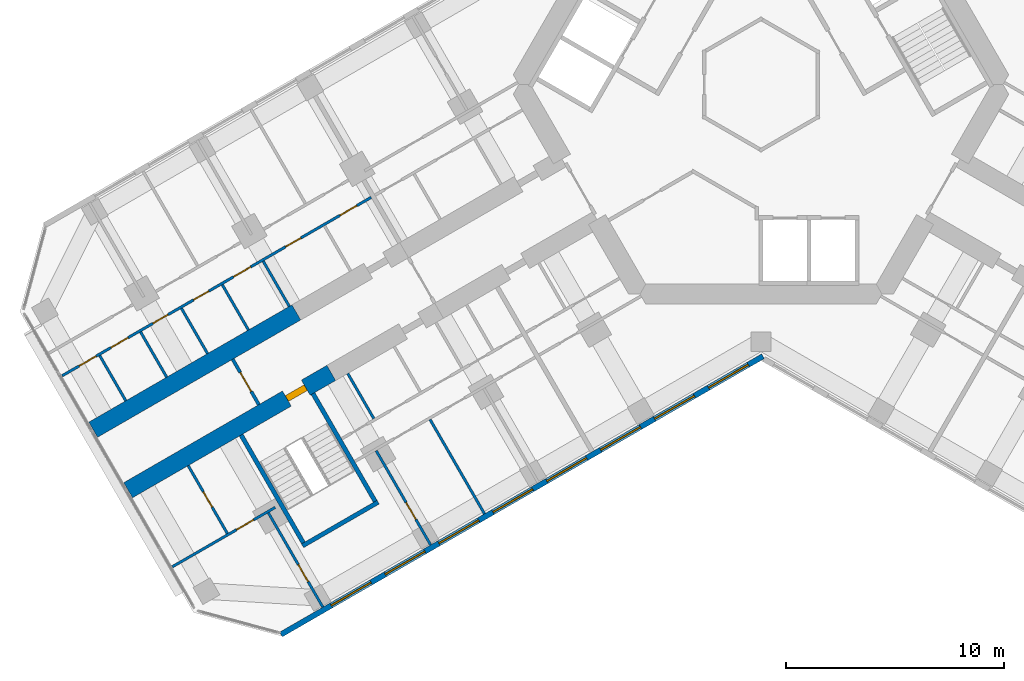
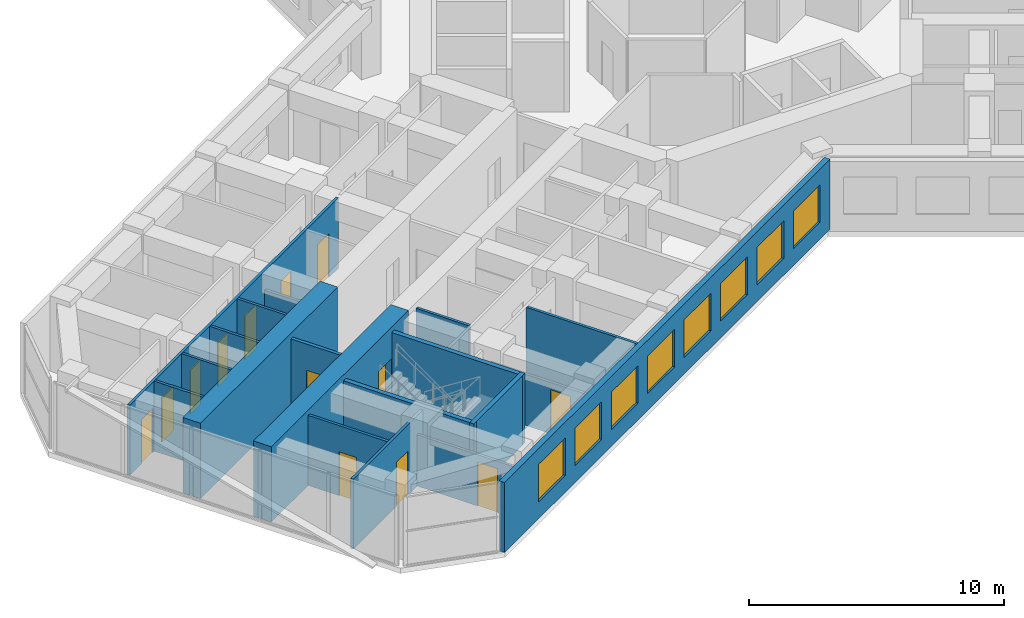
# One storey, part 10 of 19: 19 walls, 13 doors, 8 windows, 21 openings.
"""IFC4 building model written with IfcOpenShell, lengths in metres."""

import ifcopenshell
import ifcopenshell.guid

model = None  # the IFC model being written
_history = None  # IfcOwnerHistory: only IFC2X3 demands one
_inside = {}  # id of a spatial element -> (the spatial element, [elements in it])
_under = {}  # id of a project, library or spatial element -> (it, [spatial elements below it])
_declared = {}  # id of a project -> (the project, [libraries it declares])
_typed = {}  # id of a type object -> (the type object, [elements of that type])
_made_of = {}  # id of a material, layer set ... -> (it, [elements and type objects made of it])


def new_model(schema):
    """Start an empty IFC model of exactly this schema.

    Asked for "IFC4X3", IfcOpenShell would pick the latest addendum, in which some entities
    have other attributes; the version numbers below select the first issue.
    IFC2X3 requires an IfcOwnerHistory on every rooted entity: one is made here for all.
    """
    global model, _history
    if schema == "IFC4X3":
        model = ifcopenshell.file(schema_version=(4, 3, 0, 0))
    else:
        model = ifcopenshell.file(schema=schema)
    _inside.clear()
    _under.clear()
    _declared.clear()
    _typed.clear()
    _made_of.clear()
    _history = None
    if model.schema == "IFC2X3":
        org = make("IfcOrganization", Name="unknown")
        user = make(
            "IfcPersonAndOrganization",
            ThePerson=make("IfcPerson", FamilyName="unknown"),
            TheOrganization=org,
        )
        app = make(
            "IfcApplication",
            ApplicationDeveloper=org,
            Version="unknown",
            ApplicationFullName="unknown",
            ApplicationIdentifier="unknown",
        )
        _history = make(
            "IfcOwnerHistory",
            OwningUser=user,
            OwningApplication=app,
            ChangeAction="ADDED",
            CreationDate=0,
        )
    return model


def make(cls, **values):
    """One entity of the class cls with the attributes given. An attribute that is None is left unset."""
    return model.create_entity(
        cls, **{name: value for name, value in values.items() if value is not None}
    )


def rooted(cls, **values):
    """An entity with a GlobalId (a new one), such as an element, a storey or a relation."""
    return make(cls, GlobalId=ifcopenshell.guid.new(), OwnerHistory=_history, **values)


def si_unit(unit_type, name, prefix=None):
    """IfcSIUnit, for example si_unit("LENGTHUNIT", "METRE", prefix="MILLI")."""
    return make("IfcSIUnit", UnitType=unit_type, Prefix=prefix, Name=name)


def assignment(units):
    """IfcUnitAssignment: the units of a project."""
    return None if units is None else make("IfcUnitAssignment", Units=units)


def point(xyz):
    """IfcCartesianPoint."""
    return None if xyz is None else make("IfcCartesianPoint", Coordinates=xyz)


def direction(xyz):
    """IfcDirection."""
    return None if xyz is None else make("IfcDirection", DirectionRatios=xyz)


def frame(location, z_axis=None, x_axis=None):
    """IfcAxis2Placement3D, a coordinate frame: its origin and axes. An axis left out is left unset."""
    return make(
        "IfcAxis2Placement3D",
        Location=point(location),
        Axis=direction(z_axis),
        RefDirection=direction(x_axis),
    )


def frame_2d(location, x_axis=None):
    """IfcAxis2Placement2D, a coordinate frame in the plane: its origin and x axis."""
    return make(
        "IfcAxis2Placement2D", Location=point(location), RefDirection=direction(x_axis)
    )


def origin():
    """The frame at (0, 0, 0) with its axes left unset."""
    return frame((0.0, 0.0, 0.0))


def place(relative_to, where):
    """IfcLocalPlacement: puts the frame where relative to a parent placement (None: the world)."""
    return make(
        "IfcLocalPlacement", PlacementRelTo=relative_to, RelativePlacement=where
    )


def context(
    kind, dimensions, precision=None, world=None, true_north=None, identifier=None
):
    """IfcGeometricRepresentationContext, for example the 3D "Model" context."""
    return make(
        "IfcGeometricRepresentationContext",
        ContextIdentifier=identifier,
        ContextType=kind,
        CoordinateSpaceDimension=dimensions,
        Precision=precision,
        WorldCoordinateSystem=world,
        TrueNorth=true_north,
    )


def subcontext(parent, identifier, kind, view, scale=None):
    """IfcGeometricRepresentationSubContext, for example "Body" below "Model"."""
    return make(
        "IfcGeometricRepresentationSubContext",
        ContextIdentifier=identifier,
        ContextType=kind,
        ParentContext=parent,
        TargetScale=scale,
        TargetView=view,
    )


def project(units=None, contexts=None):
    """IfcProject with its units and contexts."""
    return rooted(
        "IfcProject",
        Name="project",
        RepresentationContexts=contexts,
        UnitsInContext=assignment(units),
    )


def spatial(cls, under=None, at=None, **own):
    """A site, building, storey or space (cls), placed at a placement, below another one or the project."""
    s = rooted(cls, ObjectPlacement=at, **own)
    if under is not None:
        _under.setdefault(under.id(), (under, []))[1].append(s)
    return s


def profile(cls, at=None, kind="AREA", **sizes):
    """A parametric profile (cls). Its sizes go by their IFC names, for example OverallWidth=200.0."""
    return make(cls, ProfileType=kind, Position=at, **sizes)


def rectangle(**sizes):
    """IfcRectangleProfileDef."""
    return profile("IfcRectangleProfileDef", **sizes)


def extrude(swept, where, along, depth):
    """IfcExtrudedAreaSolid: the profile swept, set in the frame where, extruded along a direction by depth."""
    return make(
        "IfcExtrudedAreaSolid",
        SweptArea=swept,
        Position=where,
        ExtrudedDirection=direction(along),
        Depth=depth,
    )


def shape(context_of_items, identifier, shape_type, items):
    """IfcShapeRepresentation: the items that make up one representation, for example the "Body"."""
    return make(
        "IfcShapeRepresentation",
        ContextOfItems=context_of_items,
        RepresentationIdentifier=identifier,
        RepresentationType=shape_type,
        Items=items,
    )


def material(Name=None, Category=None):
    """IfcMaterial."""
    return make("IfcMaterial", Name=Name, Category=Category)


def layer(
    of_material, thickness, ventilated=None, Name=None, Category=None, Priority=None
):
    """IfcMaterialLayer: one layer of a wall or slab, of a material (None: an air gap)."""
    return make(
        "IfcMaterialLayer",
        Material=of_material,
        LayerThickness=thickness,
        IsVentilated=ventilated,
        Name=Name,
        Category=Category,
        Priority=Priority,
    )


def layer_set(layers, Name=None):
    """IfcMaterialLayerSet."""
    return make("IfcMaterialLayerSet", MaterialLayers=layers, LayerSetName=Name)


def made_of(thing, what):
    """Note that an element or type object is made of a material, layer set ...; save() writes the relation."""
    if what is not None:
        _made_of.setdefault(what.id(), (what, []))[1].append(thing)
    return thing


def type_object(cls, material=None, **own):
    """A type object (cls), such as IfcWallType, which elements share."""
    return made_of(rooted(cls, **own), material)


def element(
    cls,
    number,
    at=None,
    inside=None,
    cuts=None,
    type_object=None,
    material=None,
    context=None,
    identifier="Body",
    shape_type=None,
    held_by="IfcProductDefinitionShape",
    body=None,
    shapes=None,
    **own,
):
    """One element of the class cls, such as IfcWall. Its Tag is "e" and its number.

    at: its placement. inside: the storey or other place that contains it. cuts: it is an
    opening in that element (IfcRelVoidsElement). A single representation is given by context,
    identifier, shape_type and body (its items); several are given by shapes. held_by: the class
    of the entity that holds the representations. save() writes the other relations.
    """
    e = rooted(cls, Tag="e%d" % number, ObjectPlacement=at, **own)
    if body is not None:
        shapes = [shape(context, identifier, shape_type, body)]
    if shapes is not None:
        e.Representation = make(held_by, Representations=shapes)
    if inside is not None:
        _inside.setdefault(inside.id(), (inside, []))[1].append(e)
    if cuts is not None:
        rooted(
            "IfcRelVoidsElement", RelatingBuildingElement=cuts, RelatedOpeningElement=e
        )
    if type_object is not None:
        _typed.setdefault(type_object.id(), (type_object, []))[1].append(e)
    return made_of(e, material)


def fill(opening, filler):
    """IfcRelFillsElement: the door or window that sits in an opening."""
    return rooted(
        "IfcRelFillsElement",
        RelatingOpeningElement=opening,
        RelatedBuildingElement=filler,
    )


def aggregate(whole, parts):
    """IfcRelAggregates: a whole, such as a stair, and the parts it consists of."""
    return rooted("IfcRelAggregates", RelatingObject=whole, RelatedObjects=parts)


def save(model, path):
    """Write the relations noted so far, then the file.

    IfcRelAggregates (storeys below a building ...), IfcRelContainedInSpatialStructure (elements
    in a storey), IfcRelDefinesByType, IfcRelAssociatesMaterial and IfcRelDeclares: one each for
    every whole, place, type object, material and project.
    """
    for whole, parts in _under.values():
        aggregate(whole, parts)
    for where, things in _inside.values():
        rooted(
            "IfcRelContainedInSpatialStructure",
            RelatedElements=things,
            RelatingStructure=where,
        )
    for kind, things in _typed.values():
        rooted("IfcRelDefinesByType", RelatedObjects=things, RelatingType=kind)
    for what, things in _made_of.values():
        rooted("IfcRelAssociatesMaterial", RelatedObjects=things, RelatingMaterial=what)
    for by, libraries in _declared.values():
        rooted("IfcRelDeclares", RelatingContext=by, RelatedDefinitions=libraries)
    model.write(path)


model = new_model("IFC4")

# Units and contexts
model_context = context("Model", 3, precision=1e-05, world=origin(), true_north=direction((0.0, 1.0)))
body_context = subcontext(model_context, "Body", "Model", "MODEL_VIEW")
ifc_project = project(units=[si_unit("LENGTHUNIT", "METRE"), si_unit("AREAUNIT", "SQUARE_METRE"), si_unit("VOLUMEUNIT", "CUBIC_METRE"), si_unit("PLANEANGLEUNIT", "RADIAN"), si_unit("MASSUNIT", "GRAM", prefix="KILO")], contexts=[model_context])

# Site, building, storey
site_placement = place(None, origin())
site = spatial("IfcSite", under=ifc_project, at=site_placement, CompositionType="ELEMENT")
building_placement = place(site_placement, origin())
building = spatial("IfcBuilding", under=site, at=building_placement, Name="Kosmar Iwan School Tower", CompositionType="ELEMENT")
storey_placement = place(building_placement, frame((0.0, 0.0, 149.0)))
storey = spatial("IfcBuildingStorey", under=building, at=storey_placement, Name="L37", CompositionType="ELEMENT", Elevation=149.0)

# Wall, opening, door
ifc_material_1 = material(Name="Concrete C50/60", Category="concrete")
ifc_layer_1 = layer(ifc_material_1, 0.800048828125)
ifc_layer_set_1 = layer_set([ifc_layer_1], Name="Corridor buttress wall 800")
wall_type_1 = type_object("IfcWallType", Name="Corridor buttress wall 800", PredefinedType="SHEAR", material=ifc_layer_set_1)
wall_1_placement = place(storey_placement, frame((-19.681396484375, -13.210693359375, 0.0), z_axis=(0.0, 0.0, 1.0), x_axis=(-0.866028186671, -0.499995179869, 0.0)))
wall_1 = element("IfcWall", 1, at=wall_1_placement, inside=storey, type_object=wall_type_1, Name="Corridor wall BL bay 3", PredefinedType="SHEAR", context=body_context, shape_type="SweptSolid", body=[
    extrude(rectangle(XDim=10.7451171875, YDim=0.800048828125, at=frame_2d((5.37255859375, 0.0))), origin(), (0.0, 0.0, 1.0), 3.60009765625),
])
opening_1_placement = place(wall_1_placement, frame((1.35009765625, 0.0, 0.0)))
opening_1 = element("IfcOpeningElement", 2, at=opening_1_placement, cuts=wall_1, Name="Opening D6", PredefinedType="OPENING", context=body_context, shape_type="SweptSolid", body=[
    extrude(rectangle(XDim=1.0, YDim=2.10009765625, at=frame_2d((0.5, 1.050048828125))), frame((0.0, 0.412109375, 0.0), z_axis=(0.0, -1.0, 0.0), x_axis=(1.0, 0.0, 0.0)), (0.0, 0.0, 1.0), 0.823974609375),
])
ifc_material_2 = material(Name="Steel fire door", Category="steel")
door_type_1 = type_object("IfcDoorType", Name="Stair door 1000x2100", OperationType="SINGLE_SWING_LEFT", PredefinedType="DOOR", material=ifc_material_2)
door_1_placement = place(opening_1_placement, origin())
door_1 = element("IfcDoor", 3, at=door_1_placement, inside=storey, type_object=door_type_1, Name="Stair WS2 door L37", OperationType="SINGLE_SWING_LEFT", OverallHeight=2.10009765625, OverallWidth=1.0, PredefinedType="DOOR", context=body_context, shape_type="SweptSolid", body=[
    extrude(rectangle(XDim=1.0, YDim=2.10009765625, at=frame_2d((0.5, 1.050048828125))), frame((0.0, 0.14990234375, 0.0), z_axis=(0.0, -1.0, 0.0), x_axis=(1.0, 0.0, 0.0)), (0.0, 0.0, 1.0), 0.300048828125),
])
fill(opening_1, door_1)

# Wall
wall_2_placement = place(storey_placement, frame((-21.281494140625, -10.439453125, 0.0), z_axis=(0.0, 0.0, 1.0), x_axis=(-0.866032345022, -0.499987977232, 0.0)))
element("IfcWall", 4, at=wall_2_placement, inside=storey, type_object=wall_type_1, Name="Corridor wall BR bay 3", PredefinedType="SHEAR", context=body_context, shape_type="SweptSolid", body=[
    extrude(rectangle(XDim=10.744873046875, YDim=0.800048828125, at=frame_2d((5.37255859375, 0.0))), origin(), (0.0, 0.0, 1.0), 3.60009765625),
])

# Wall, opening, door
ifc_material_3 = material(Name="Gypsum board on steel studs, fire-rated", Category="steel")
ifc_layer_2 = layer(ifc_material_3, 0.14990234375)
ifc_layer_set_2 = layer_set([ifc_layer_2], Name="Corridor end wall 150")
wall_type_2 = type_object("IfcWallType", Name="Corridor end wall 150", PredefinedType="PARTITIONING", material=ifc_layer_set_2)
wall_3_placement = place(storey_placement, frame((-24.19921875, -12.585693359375, 0.0), z_axis=(0.0, 0.0, 1.0), x_axis=(0.499957262057, -0.866050077142, 0.0)))
wall_3 = element("IfcWall", 5, at=wall_3_placement, inside=storey, type_object=wall_type_2, Name="Partition L37-B-CE", PredefinedType="PARTITIONING", context=body_context, shape_type="SweptSolid", body=[
    extrude(rectangle(XDim=2.400146484375, YDim=0.14990234375, at=frame_2d((1.2001953125, 0.0))), origin(), (0.0, 0.0, 1.0), 3.35009765625),
])
opening_2_placement = place(wall_3_placement, frame((0.699951171875, 0.0, 0.0)))
opening_2 = element("IfcOpeningElement", 6, at=opening_2_placement, cuts=wall_3, Name="Opening D13", PredefinedType="OPENING", context=body_context, shape_type="SweptSolid", body=[
    extrude(rectangle(XDim=1.0, YDim=2.10009765625, at=frame_2d((0.5, 1.050048828125))), frame((0.0, 0.0869140625, 0.0), z_axis=(0.0, -1.0, 0.0), x_axis=(1.0, 0.0, 0.0)), (0.0, 0.0, 1.0), 0.173828125),
])
ifc_material_4 = material(Name="Timber fire door with vision panel", Category="wood")
door_type_2 = type_object("IfcDoorType", Name="Corridor end door 1000x2100", OperationType="SINGLE_SWING_LEFT", PredefinedType="DOOR", material=ifc_material_4)
door_2_placement = place(opening_2_placement, origin())
door_2 = element("IfcDoor", 7, at=door_2_placement, inside=storey, type_object=door_type_2, Name="Laundry and drying room door L37-B", OperationType="SINGLE_SWING_RIGHT", OverallHeight=2.10009765625, OverallWidth=1.0, PredefinedType="DOOR", context=body_context, shape_type="SweptSolid", body=[
    extrude(rectangle(XDim=1.0, YDim=2.10009765625, at=frame_2d((0.5, 1.050048828125))), frame((0.0, 0.02490234375, 0.0), z_axis=(0.0, -1.0, 0.0), x_axis=(1.0, 0.0, 0.0)), (0.0, 0.0, 1.0), 0.050048828125),
])
fill(opening_2, door_2)

# Walls
ifc_material_5 = material(Name="Gypsum board on steel studs", Category="steel")
ifc_layer_3 = layer(ifc_material_5, 0.1201171875)
ifc_layer_set_3 = layer_set([ifc_layer_3], Name="Dwelling partition 120")
wall_type_3 = type_object("IfcWallType", Name="Dwelling partition 120", PredefinedType="PARTITIONING", material=ifc_layer_set_3)
wall_4_placement = place(storey_placement, frame((-15.158447265625, -15.344970703125, 0.0), z_axis=(0.0, 0.0, 1.0), x_axis=(0.500011847778, -0.866018563358, 0.0)))
element("IfcWall", 8, at=wall_4_placement, inside=storey, type_object=wall_type_3, Name="Partition L37-BL2-X2", PredefinedType="PARTITIONING", context=body_context, shape_type="SweptSolid", body=[
    extrude(rectangle(XDim=4.990234375, YDim=0.1201171875, at=frame_2d((2.4951171875, 0.0))), origin(), (0.0, 0.0, 1.0), 3.35009765625),
])
wall_5_placement = place(storey_placement, frame((-18.92724609375, -13.237060546875, 0.0), z_axis=(0.0, 0.0, 1.0), x_axis=(0.500017192868, -0.86601547725, 0.0)))
element("IfcWall", 9, at=wall_5_placement, inside=storey, type_object=wall_type_3, Name="Partition L37-BL2-Y4", PredefinedType="PARTITIONING", context=body_context, shape_type="SweptSolid", body=[
    extrude(rectangle(XDim=2.39013671875, YDim=0.1201171875, at=frame_2d((1.195068359375, 0.0))), origin(), (0.0, 0.0, 1.0), 3.35009765625),
])

# Wall, opening, door
wall_6_placement = place(storey_placement, frame((-17.62646484375, -16.77001953125, 0.0), z_axis=(0.0, 0.0, 1.0), x_axis=(0.499975153383, -0.86603974851, 0.0)))
wall_6 = element("IfcWall", 10, at=wall_6_placement, inside=storey, type_object=wall_type_3, Name="Partition L37-BL2-TB", PredefinedType="PARTITIONING", context=body_context, shape_type="SweptSolid", body=[
    extrude(rectangle(XDim=4.989990234375, YDim=0.1201171875, at=frame_2d((2.4951171875, 0.0))), origin(), (0.0, 0.0, 1.0), 2.449951171875),
])
opening_3_placement = place(wall_6_placement, frame((2.739990234375, 0.0, 0.0)))
opening_3 = element("IfcOpeningElement", 11, at=opening_3_placement, cuts=wall_6, Name="Opening D2", PredefinedType="OPENING", context=body_context, shape_type="SweptSolid", body=[
    extrude(rectangle(XDim=0.89990234375, YDim=2.10009765625, at=frame_2d((0.449951171875, 1.050048828125))), frame((0.0, 0.072021484375, 0.0), z_axis=(0.0, -1.0, 0.0), x_axis=(1.0, 0.0, 0.0)), (0.0, 0.0, 1.0), 0.14404296875),
])
ifc_material_6 = material(Name="Timber door in timber frame", Category="wood")
door_type_3 = type_object("IfcDoorType", Name="Internal door 900x2100", OperationType="SINGLE_SWING_LEFT", PredefinedType="DOOR", material=ifc_material_6)
door_3_placement = place(opening_3_placement, origin())
door_3 = element("IfcDoor", 12, at=door_3_placement, inside=storey, type_object=door_type_3, Name="Study door L37-BL2-F3", OperationType="SINGLE_SWING_RIGHT", OverallHeight=2.10009765625, OverallWidth=0.89990234375, PredefinedType="DOOR", context=body_context, shape_type="SweptSolid", body=[
    extrude(rectangle(XDim=0.89990234375, YDim=2.10009765625, at=frame_2d((0.449951171875, 1.050048828125))), frame((0.0, 0.02490234375, 0.0), z_axis=(0.0, -1.0, 0.0), x_axis=(1.0, 0.0, 0.0)), (0.0, 0.0, 1.0), 0.050048828125),
])
fill(opening_3, door_3)

wall_7_placement = place(storey_placement, frame((-22.562744140625, -19.6201171875, 0.0), z_axis=(0.0, 0.0, 1.0), x_axis=(0.499996339024, -0.86602751744, 0.0)))
wall_7 = element("IfcWall", 13, at=wall_7_placement, inside=storey, type_object=wall_type_3, Name="Partition L37-BL2-TX", PredefinedType="PARTITIONING", context=body_context, shape_type="SweptSolid", body=[
    extrude(rectangle(XDim=4.98974609375, YDim=0.1201171875, at=frame_2d((2.494873046875, 0.0))), origin(), (0.0, 0.0, 1.0), 2.449951171875),
])
opening_4_placement = place(wall_7_placement, frame((2.739990234375, 0.0, 0.0)))
opening_4 = element("IfcOpeningElement", 14, at=opening_4_placement, cuts=wall_7, Name="Opening D2", PredefinedType="OPENING", context=body_context, shape_type="SweptSolid", body=[
    extrude(rectangle(XDim=0.89990234375, YDim=2.10009765625, at=frame_2d((0.449951171875, 1.050048828125))), frame((0.0, 0.072021484375, 0.0), z_axis=(0.0, -1.0, 0.0), x_axis=(1.0, 0.0, 0.0)), (0.0, 0.0, 1.0), 0.14404296875),
])
door_4_placement = place(opening_4_placement, origin())
door_4 = element("IfcDoor", 15, at=door_4_placement, inside=storey, type_object=door_type_3, Name="Study door L37-BL2-T1", OperationType="SINGLE_SWING_RIGHT", OverallHeight=2.10009765625, OverallWidth=0.89990234375, PredefinedType="DOOR", context=body_context, shape_type="SweptSolid", body=[
    extrude(rectangle(XDim=0.89990234375, YDim=2.10009765625, at=frame_2d((0.449951171875, 1.050048828125))), frame((0.0, 0.02490234375, 0.0), z_axis=(0.0, -1.0, 0.0), x_axis=(1.0, 0.0, 0.0)), (0.0, 0.0, 1.0), 0.050048828125),
])
fill(opening_4, door_4)

wall_8_placement = place(storey_placement, frame((-22.246337890625, -19.3681640625, 0.0), z_axis=(0.0, 0.0, 1.0), x_axis=(-0.866035508231, -0.499982498177, 0.0)))
wall_8 = element("IfcWall", 16, at=wall_8_placement, inside=storey, type_object=wall_type_3, Name="Partition L37-BL2-TW", PredefinedType="PARTITIONING", context=body_context, shape_type="SweptSolid", body=[
    extrude(rectangle(XDim=5.445068359375, YDim=0.1201171875, at=frame_2d((2.72265625, 0.0))), origin(), (0.0, 0.0, 1.0), 3.35009765625),
])
opening_5_placement = place(wall_8_placement, frame((1.14990234375, 0.0, 0.0)))
opening_5 = element("IfcOpeningElement", 17, at=opening_5_placement, cuts=wall_8, Name="Opening D2", PredefinedType="OPENING", context=body_context, shape_type="SweptSolid", body=[
    extrude(rectangle(XDim=0.89990234375, YDim=2.10009765625, at=frame_2d((0.449951171875, 1.050048828125))), frame((0.0, 0.072021484375, 0.0), z_axis=(0.0, -1.0, 0.0), x_axis=(1.0, 0.0, 0.0)), (0.0, 0.0, 1.0), 0.14404296875),
])
door_5_placement = place(opening_5_placement, origin())
door_5 = element("IfcDoor", 18, at=door_5_placement, inside=storey, type_object=door_type_3, Name="Dressing room door L37-BL2-T3", OperationType="SINGLE_SWING_LEFT", OverallHeight=2.10009765625, OverallWidth=0.89990234375, PredefinedType="DOOR", context=body_context, shape_type="SweptSolid", body=[
    extrude(rectangle(XDim=0.89990234375, YDim=2.10009765625, at=frame_2d((0.449951171875, 1.050048828125))), frame((0.0, 0.02490234375, 0.0), z_axis=(0.0, -1.0, 0.0), x_axis=(1.0, 0.0, 0.0)), (0.0, 0.0, 1.0), 0.050048828125),
])
fill(opening_5, door_5)

wall_9_placement = place(storey_placement, frame((-26.236572265625, -17.45703125, 0.0), z_axis=(0.0, 0.0, 1.0), x_axis=(0.50002266109, -0.866012320003, 0.0)))
wall_9 = element("IfcWall", 19, at=wall_9_placement, inside=storey, type_object=wall_type_3, Name="Partition L37-BL2-TY", PredefinedType="PARTITIONING", context=body_context, shape_type="SweptSolid", body=[
    extrude(rectangle(XDim=3.590087890625, YDim=0.1201171875, at=frame_2d((1.794921875, 0.0))), origin(), (0.0, 0.0, 1.0), 3.35009765625),
])
opening_6_placement = place(wall_9_placement, frame((1.39501953125, 0.0, 0.0)))
opening_6 = element("IfcOpeningElement", 20, at=opening_6_placement, cuts=wall_9, Name="Opening D3", PredefinedType="OPENING", context=body_context, shape_type="SweptSolid", body=[
    extrude(rectangle(XDim=0.800048828125, YDim=2.10009765625, at=frame_2d((0.39990234375, 1.050048828125))), frame((0.0, 0.072021484375, 0.0), z_axis=(0.0, -1.0, 0.0), x_axis=(1.0, 0.0, 0.0)), (0.0, 0.0, 1.0), 0.14404296875),
])
ifc_material_7 = material(Name="Timber door in timber frame", Category="wood")
door_type_4 = type_object("IfcDoorType", Name="Sanitary room door 800x2100", OperationType="SINGLE_SWING_LEFT", PredefinedType="DOOR", material=ifc_material_7)
door_6_placement = place(opening_6_placement, origin())
door_6 = element("IfcDoor", 21, at=door_6_placement, inside=storey, type_object=door_type_4, Name="Shower room door L37-BL2-T4", OperationType="SINGLE_SWING_LEFT", OverallHeight=2.10009765625, OverallWidth=0.800048828125, PredefinedType="DOOR", context=body_context, shape_type="SweptSolid", body=[
    extrude(rectangle(XDim=0.800048828125, YDim=2.10009765625, at=frame_2d((0.39990234375, 1.050048828125))), frame((0.0, 0.02490234375, 0.0), z_axis=(0.0, -1.0, 0.0), x_axis=(1.0, 0.0, 0.0)), (0.0, 0.0, 1.0), 0.050048828125),
])
fill(opening_6, door_6)

# Wall, openings, doors
wall_10_placement = place(storey_placement, frame((-17.856689453125, -5.171142578125, 0.0), z_axis=(0.0, 0.0, 1.0), x_axis=(-0.866023907196, -0.500002592159, 0.0)))
wall_10 = element("IfcWall", 22, at=wall_10_placement, inside=storey, type_object=wall_type_3, Name="Partition L37-BR2-W1", PredefinedType="PARTITIONING", context=body_context, shape_type="SweptSolid", body=[
    extrude(rectangle(XDim=16.34521484375, YDim=0.1201171875, at=frame_2d((8.172607421875, 0.0))), origin(), (0.0, 0.0, 1.0), 3.35009765625),
])
opening_7_placement = place(wall_10_placement, frame((0.75, 0.0, 0.0)))
opening_7 = element("IfcOpeningElement", 23, at=opening_7_placement, cuts=wall_10, Name="Opening D2", PredefinedType="OPENING", context=body_context, shape_type="SweptSolid", body=[
    extrude(rectangle(XDim=0.89990234375, YDim=2.10009765625, at=frame_2d((0.449951171875, 1.050048828125))), frame((0.0, 0.072021484375, 0.0), z_axis=(0.0, -1.0, 0.0), x_axis=(1.0, 0.0, 0.0)), (0.0, 0.0, 1.0), 0.14404296875),
])
opening_8_placement = place(wall_10_placement, frame((3.72119140625, 0.0, 0.0)))
opening_8 = element("IfcOpeningElement", 24, at=opening_8_placement, cuts=wall_10, Name="Opening D3", PredefinedType="OPENING", context=body_context, shape_type="SweptSolid", body=[
    extrude(rectangle(XDim=0.800048828125, YDim=2.10009765625, at=frame_2d((0.39990234375, 1.050048828125))), frame((0.0, 0.072021484375, 0.0), z_axis=(0.0, -1.0, 0.0), x_axis=(1.0, 0.0, 0.0)), (0.0, 0.0, 1.0), 0.14404296875),
])
opening_9_placement = place(wall_10_placement, frame((6.373046875, 0.0, 0.0)))
opening_9 = element("IfcOpeningElement", 25, at=opening_9_placement, cuts=wall_10, Name="Opening D2", PredefinedType="OPENING", context=body_context, shape_type="SweptSolid", body=[
    extrude(rectangle(XDim=0.89990234375, YDim=2.10009765625, at=frame_2d((0.449951171875, 1.050048828125))), frame((0.0, 0.072021484375, 0.0), z_axis=(0.0, -1.0, 0.0), x_axis=(1.0, 0.0, 0.0)), (0.0, 0.0, 1.0), 0.14404296875),
])
opening_10_placement = place(wall_10_placement, frame((8.584716796875, 0.0, 0.0)))
opening_10 = element("IfcOpeningElement", 26, at=opening_10_placement, cuts=wall_10, Name="Opening D3", PredefinedType="OPENING", context=body_context, shape_type="SweptSolid", body=[
    extrude(rectangle(XDim=0.800048828125, YDim=2.10009765625, at=frame_2d((0.39990234375, 1.050048828125))), frame((0.0, 0.072021484375, 0.0), z_axis=(0.0, -1.0, 0.0), x_axis=(1.0, 0.0, 0.0)), (0.0, 0.0, 1.0), 0.14404296875),
])
opening_11_placement = place(wall_10_placement, frame((10.74609375, 0.0, 0.0)))
opening_11 = element("IfcOpeningElement", 27, at=opening_11_placement, cuts=wall_10, Name="Opening D3", PredefinedType="OPENING", context=body_context, shape_type="SweptSolid", body=[
    extrude(rectangle(XDim=0.800048828125, YDim=2.10009765625, at=frame_2d((0.39990234375, 1.050048828125))), frame((0.0, 0.072021484375, 0.0), z_axis=(0.0, -1.0, 0.0), x_axis=(1.0, 0.0, 0.0)), (0.0, 0.0, 1.0), 0.14404296875),
])
opening_12_placement = place(wall_10_placement, frame((12.857666015625, 0.0, 0.0)))
opening_12 = element("IfcOpeningElement", 28, at=opening_12_placement, cuts=wall_10, Name="Opening D2", PredefinedType="OPENING", context=body_context, shape_type="SweptSolid", body=[
    extrude(rectangle(XDim=0.89990234375, YDim=2.10009765625, at=frame_2d((0.449951171875, 1.050048828125))), frame((0.0, 0.072021484375, 0.0), z_axis=(0.0, -1.0, 0.0), x_axis=(1.0, 0.0, 0.0)), (0.0, 0.0, 1.0), 0.14404296875),
])
opening_13_placement = place(wall_10_placement, frame((14.548583984375, 0.0, 0.0)))
opening_13 = element("IfcOpeningElement", 29, at=opening_13_placement, cuts=wall_10, Name="Opening D2", PredefinedType="OPENING", context=body_context, shape_type="SweptSolid", body=[
    extrude(rectangle(XDim=0.89990234375, YDim=2.10009765625, at=frame_2d((0.449951171875, 1.050048828125))), frame((0.0, 0.072021484375, 0.0), z_axis=(0.0, -1.0, 0.0), x_axis=(1.0, 0.0, 0.0)), (0.0, 0.0, 1.0), 0.14404296875),
])
door_7_placement = place(opening_7_placement, origin())
door_7 = element("IfcDoor", 30, at=door_7_placement, inside=storey, type_object=door_type_3, Name="Entrance hall door L37-BR2-S1", OperationType="SINGLE_SWING_RIGHT", OverallHeight=2.10009765625, OverallWidth=0.89990234375, PredefinedType="DOOR", context=body_context, shape_type="SweptSolid", body=[
    extrude(rectangle(XDim=0.89990234375, YDim=2.10009765625, at=frame_2d((0.449951171875, 1.050048828125))), frame((0.0, 0.02490234375, 0.0), z_axis=(0.0, -1.0, 0.0), x_axis=(1.0, 0.0, 0.0)), (0.0, 0.0, 1.0), 0.050048828125),
])
fill(opening_7, door_7)
door_8_placement = place(opening_9_placement, origin())
door_8 = element("IfcDoor", 31, at=door_8_placement, inside=storey, type_object=door_type_3, Name="Pantry door L37-BR2-S3", OperationType="SINGLE_SWING_RIGHT", OverallHeight=2.10009765625, OverallWidth=0.89990234375, PredefinedType="DOOR", context=body_context, shape_type="SweptSolid", body=[
    extrude(rectangle(XDim=0.89990234375, YDim=2.10009765625, at=frame_2d((0.449951171875, 1.050048828125))), frame((0.0, 0.02490234375, 0.0), z_axis=(0.0, -1.0, 0.0), x_axis=(1.0, 0.0, 0.0)), (0.0, 0.0, 1.0), 0.050048828125),
])
fill(opening_9, door_8)
door_9_placement = place(opening_12_placement, origin())
door_9 = element("IfcDoor", 32, at=door_9_placement, inside=storey, type_object=door_type_3, Name="Utility room door L37-BR2-S6", OperationType="SINGLE_SWING_LEFT", OverallHeight=2.10009765625, OverallWidth=0.89990234375, PredefinedType="DOOR", context=body_context, shape_type="SweptSolid", body=[
    extrude(rectangle(XDim=0.89990234375, YDim=2.10009765625, at=frame_2d((0.449951171875, 1.050048828125))), frame((0.0, 0.02490234375, 0.0), z_axis=(0.0, -1.0, 0.0), x_axis=(1.0, 0.0, 0.0)), (0.0, 0.0, 1.0), 0.050048828125),
])
fill(opening_12, door_9)
door_10_placement = place(opening_13_placement, origin())
door_10 = element("IfcDoor", 33, at=door_10_placement, inside=storey, type_object=door_type_3, Name="Dressing room door L37-BR2-S7", OperationType="SINGLE_SWING_LEFT", OverallHeight=2.10009765625, OverallWidth=0.89990234375, PredefinedType="DOOR", context=body_context, shape_type="SweptSolid", body=[
    extrude(rectangle(XDim=0.89990234375, YDim=2.10009765625, at=frame_2d((0.449951171875, 1.050048828125))), frame((0.0, 0.02490234375, 0.0), z_axis=(0.0, -1.0, 0.0), x_axis=(1.0, 0.0, 0.0)), (0.0, 0.0, 1.0), 0.050048828125),
])
fill(opening_13, door_10)
door_11_placement = place(opening_8_placement, origin())
door_11 = element("IfcDoor", 34, at=door_11_placement, inside=storey, type_object=door_type_4, Name="Bathroom door L37-BR2-S2", OperationType="SINGLE_SWING_LEFT", OverallHeight=2.10009765625, OverallWidth=0.800048828125, PredefinedType="DOOR", context=body_context, shape_type="SweptSolid", body=[
    extrude(rectangle(XDim=0.800048828125, YDim=2.10009765625, at=frame_2d((0.39990234375, 1.050048828125))), frame((0.0, 0.02490234375, 0.0), z_axis=(0.0, -1.0, 0.0), x_axis=(1.0, 0.0, 0.0)), (0.0, 0.0, 1.0), 0.050048828125),
])
fill(opening_8, door_11)
door_12_placement = place(opening_10_placement, origin())
door_12 = element("IfcDoor", 35, at=door_12_placement, inside=storey, type_object=door_type_4, Name="WC door L37-BR2-S4", OperationType="SINGLE_SWING_LEFT", OverallHeight=2.10009765625, OverallWidth=0.800048828125, PredefinedType="DOOR", context=body_context, shape_type="SweptSolid", body=[
    extrude(rectangle(XDim=0.800048828125, YDim=2.10009765625, at=frame_2d((0.39990234375, 1.050048828125))), frame((0.0, 0.02490234375, 0.0), z_axis=(0.0, -1.0, 0.0), x_axis=(1.0, 0.0, 0.0)), (0.0, 0.0, 1.0), 0.050048828125),
])
fill(opening_10, door_12)
door_13_placement = place(opening_11_placement, origin())
door_13 = element("IfcDoor", 36, at=door_13_placement, inside=storey, type_object=door_type_4, Name="Store door L37-BR2-S5", OperationType="SINGLE_SWING_RIGHT", OverallHeight=2.10009765625, OverallWidth=0.800048828125, PredefinedType="DOOR", context=body_context, shape_type="SweptSolid", body=[
    extrude(rectangle(XDim=0.800048828125, YDim=2.10009765625, at=frame_2d((0.39990234375, 1.050048828125))), frame((0.0, 0.02490234375, 0.0), z_axis=(0.0, -1.0, 0.0), x_axis=(1.0, 0.0, 0.0)), (0.0, 0.0, 1.0), 0.050048828125),
])
fill(opening_11, door_13)

# Walls
wall_11_placement = place(storey_placement, frame((-21.604736328125, -10.1640625, 0.0), z_axis=(0.0, 0.0, 1.0), x_axis=(-0.500017192868, 0.86601547725, 0.0)))
element("IfcWall", 37, at=wall_11_placement, inside=storey, type_object=wall_type_3, Name="Partition L37-BR2-Y2", PredefinedType="PARTITIONING", context=body_context, shape_type="SweptSolid", body=[
    extrude(rectangle(XDim=2.39013671875, YDim=0.1201171875, at=frame_2d((1.195068359375, 0.0))), origin(), (0.0, 0.0, 1.0), 2.449951171875),
])
wall_12_placement = place(storey_placement, frame((-23.476806640625, -11.244873046875, 0.0), z_axis=(0.0, 0.0, 1.0), x_axis=(-0.499940577336, 0.866059708757, 0.0)))
element("IfcWall", 38, at=wall_12_placement, inside=storey, type_object=wall_type_3, Name="Partition L37-BR2-Y3", PredefinedType="PARTITIONING", context=body_context, shape_type="SweptSolid", body=[
    extrude(rectangle(XDim=2.389892578125, YDim=0.1201171875, at=frame_2d((1.19482421875, 0.0))), origin(), (0.0, 0.0, 1.0), 3.35009765625),
])
for number, where, z_axis, x_axis, name in (
    (39, (-25.3486328125, -12.32568359375, 0.0), (0.0, 0.0, 1.0), (-0.500017192868, 0.86601547725, 0.0), "Partition L37-BR2-Y4"),
    (40, (-27.220458984375, -13.406494140625, 0.0), (0.0, 0.0, 1.0), (-0.500017192868, 0.86601547725, 0.0), "Partition L37-BR2-Y5"),
    (41, (-29.092529296875, -14.4873046875, 0.0), (0.0, 0.0, 1.0), (-0.500017192868, 0.86601547725, 0.0), "Partition L37-BR2-Y6"),
):
    element("IfcWall", number, at=place(storey_placement, frame(where, z_axis=z_axis, x_axis=x_axis)), inside=storey, type_object=wall_type_3, Name=name, PredefinedType="PARTITIONING", context=body_context, shape_type="SweptSolid", body=[
        extrude(rectangle(XDim=2.39013671875, YDim=0.1201171875, at=frame_2d((1.195068359375, 0.0))), origin(), (0.0, 0.0, 1.0), 3.35009765625),
    ])
ifc_material_8 = material(Name="Concrete C35/45", Category="concrete")
ifc_layer_4 = layer(ifc_material_8, 0.199951171875)
ifc_layer_set_4 = layer_set([ifc_layer_4], Name="Escape stair wall 200")
wall_type_4 = type_object("IfcWallType", Name="Escape stair wall 200", PredefinedType="SHEAR", material=ifc_layer_set_4)
wall_13_placement = place(storey_placement, frame((-20.520751953125, -14.156982421875, 0.0), z_axis=(0.0, 0.0, 1.0), x_axis=(0.499988710057, -0.866031921938, 0.0)))
element("IfcWall", 42, at=wall_13_placement, inside=storey, type_object=wall_type_4, Name="Stair WS2 wall", PredefinedType="SHEAR", context=body_context, shape_type="SweptSolid", body=[
    extrude(rectangle(XDim=5.900146484375, YDim=0.199951171875, at=frame_2d((2.9501953125, 0.0))), origin(), (0.0, 0.0, 1.0), 3.330078125),
])
wall_14_placement = place(storey_placement, frame((-23.8115234375, -16.05712890625, 0.0), z_axis=(0.0, 0.0, 1.0), x_axis=(0.500006628179, -0.86602157697, 0.0)))
element("IfcWall", 43, at=wall_14_placement, inside=storey, type_object=wall_type_4, Name="Stair WS2 wall", PredefinedType="SHEAR", context=body_context, shape_type="SweptSolid", body=[
    extrude(rectangle(XDim=5.89990234375, YDim=0.199951171875, at=frame_2d((2.949951171875, 0.0))), origin(), (0.0, 0.0, 1.0), 3.330078125),
])
wall_15_placement = place(storey_placement, frame((-17.5341796875, -19.1298828125, 0.0), z_axis=(0.0, 0.0, 1.0), x_axis=(-0.866026010844, -0.49999894854, 0.0)))
element("IfcWall", 44, at=wall_15_placement, inside=storey, type_object=wall_type_4, Name="Stair WS2 wall", PredefinedType="SHEAR", context=body_context, shape_type="SweptSolid", body=[
    extrude(rectangle(XDim=4.0, YDim=0.199951171875, at=frame_2d((2.0, 0.0))), origin(), (0.0, 0.0, 1.0), 3.330078125),
])

# Wall, openings, windows
ifc_material_9 = material(Name="Black aluminium rainscreen on insulated framing", Category="aluminium")
ifc_layer_5 = layer(ifc_material_9, 0.25)
ifc_layer_set_5 = layer_set([ifc_layer_5], Name="External wall rainscreen 250")
wall_type_5 = type_object("IfcWallType", Name="External wall rainscreen 250", PredefinedType="SOLIDWALL", material=ifc_layer_set_5)
wall_16_placement = place(storey_placement, frame((0.088134765625, -12.44873046875, 0.0), z_axis=(0.0, 0.0, 1.0), x_axis=(-0.866026390279, -0.499998291337, 0.0)))
wall_16 = element("IfcWall", 45, at=wall_16_placement, inside=storey, type_object=wall_type_5, Name="External wall BL L37", PredefinedType="SOLIDWALL", context=body_context, shape_type="SweptSolid", body=[
    extrude(rectangle(XDim=25.4873046875, YDim=0.25, at=frame_2d((12.74365234375, 0.0))), origin(), (0.0, 0.0, 1.0), 3.35009765625),
])
opening_14_placement = place(wall_16_placement, frame((0.777099609375, 0.0, 0.800048828125)))
opening_14 = element("IfcOpeningElement", 46, at=opening_14_placement, cuts=wall_16, Name="Opening W4", PredefinedType="OPENING", context=body_context, shape_type="SweptSolid", body=[
    extrude(rectangle(XDim=2.10009765625, YDim=1.800048828125, at=frame_2d((1.050048828125, 0.89990234375))), frame((0.0, 0.136962890625, 0.0), z_axis=(0.0, -1.0, 0.0), x_axis=(1.0, 0.0, 0.0)), (0.0, 0.0, 1.0), 0.27392578125),
])
opening_15_placement = place(wall_16_placement, frame((3.626953125, 0.0, 0.800048828125)))
opening_15 = element("IfcOpeningElement", 47, at=opening_15_placement, cuts=wall_16, Name="Opening W4", PredefinedType="OPENING", context=body_context, shape_type="SweptSolid", body=[
    extrude(rectangle(XDim=2.10009765625, YDim=1.800048828125, at=frame_2d((1.050048828125, 0.89990234375))), frame((0.0, 0.136962890625, 0.0), z_axis=(0.0, -1.0, 0.0), x_axis=(1.0, 0.0, 0.0)), (0.0, 0.0, 1.0), 0.27392578125),
])
opening_16_placement = place(wall_16_placement, frame((6.47705078125, 0.0, 0.800048828125)))
opening_16 = element("IfcOpeningElement", 48, at=opening_16_placement, cuts=wall_16, Name="Opening W4", PredefinedType="OPENING", context=body_context, shape_type="SweptSolid", body=[
    extrude(rectangle(XDim=2.10009765625, YDim=1.800048828125, at=frame_2d((1.050048828125, 0.89990234375))), frame((0.0, 0.136962890625, 0.0), z_axis=(0.0, -1.0, 0.0), x_axis=(1.0, 0.0, 0.0)), (0.0, 0.0, 1.0), 0.27392578125),
])
opening_17_placement = place(wall_16_placement, frame((9.326904296875, 0.0, 0.800048828125)))
opening_17 = element("IfcOpeningElement", 49, at=opening_17_placement, cuts=wall_16, Name="Opening W4", PredefinedType="OPENING", context=body_context, shape_type="SweptSolid", body=[
    extrude(rectangle(XDim=2.10009765625, YDim=1.800048828125, at=frame_2d((1.050048828125, 0.89990234375))), frame((0.0, 0.136962890625, 0.0), z_axis=(0.0, -1.0, 0.0), x_axis=(1.0, 0.0, 0.0)), (0.0, 0.0, 1.0), 0.27392578125),
])
opening_18_placement = place(wall_16_placement, frame((12.177001953125, 0.0, 0.800048828125)))
opening_18 = element("IfcOpeningElement", 50, at=opening_18_placement, cuts=wall_16, Name="Opening W4", PredefinedType="OPENING", context=body_context, shape_type="SweptSolid", body=[
    extrude(rectangle(XDim=2.10009765625, YDim=1.800048828125, at=frame_2d((1.050048828125, 0.89990234375))), frame((0.0, 0.136962890625, 0.0), z_axis=(0.0, -1.0, 0.0), x_axis=(1.0, 0.0, 0.0)), (0.0, 0.0, 1.0), 0.27392578125),
])
opening_19_placement = place(wall_16_placement, frame((15.027099609375, 0.0, 0.800048828125)))
opening_19 = element("IfcOpeningElement", 51, at=opening_19_placement, cuts=wall_16, Name="Opening W4", PredefinedType="OPENING", context=body_context, shape_type="SweptSolid", body=[
    extrude(rectangle(XDim=2.10009765625, YDim=1.800048828125, at=frame_2d((1.050048828125, 0.89990234375))), frame((0.0, 0.136962890625, 0.0), z_axis=(0.0, -1.0, 0.0), x_axis=(1.0, 0.0, 0.0)), (0.0, 0.0, 1.0), 0.27392578125),
])
opening_20_placement = place(wall_16_placement, frame((17.876953125, 0.0, 0.800048828125)))
opening_20 = element("IfcOpeningElement", 52, at=opening_20_placement, cuts=wall_16, Name="Opening W4", PredefinedType="OPENING", context=body_context, shape_type="SweptSolid", body=[
    extrude(rectangle(XDim=2.10009765625, YDim=1.800048828125, at=frame_2d((1.050048828125, 0.89990234375))), frame((0.0, 0.136962890625, 0.0), z_axis=(0.0, -1.0, 0.0), x_axis=(1.0, 0.0, 0.0)), (0.0, 0.0, 1.0), 0.27392578125),
])
opening_21_placement = place(wall_16_placement, frame((20.72705078125, 0.0, 0.800048828125)))
opening_21 = element("IfcOpeningElement", 53, at=opening_21_placement, cuts=wall_16, Name="Opening W4", PredefinedType="OPENING", context=body_context, shape_type="SweptSolid", body=[
    extrude(rectangle(XDim=2.10009765625, YDim=1.800048828125, at=frame_2d((1.050048828125, 0.89990234375))), frame((0.0, 0.136962890625, 0.0), z_axis=(0.0, -1.0, 0.0), x_axis=(1.0, 0.0, 0.0)), (0.0, 0.0, 1.0), 0.27392578125),
])
ifc_material_10 = material(Name="Black aluminium frame with dark triple glazing", Category="aluminium")
window_type = type_object("IfcWindowType", Name="Window 2100x1800", PartitioningType="SINGLE_PANEL", PredefinedType="WINDOW", material=ifc_material_10)
window_1_placement = place(opening_14_placement, origin())
window_1 = element("IfcWindow", 54, at=window_1_placement, inside=storey, type_object=window_type, Name="Window BL L37 -1", OverallHeight=1.800048828125, OverallWidth=2.10009765625, PartitioningType="SINGLE_PANEL", PredefinedType="WINDOW", context=body_context, shape_type="SweptSolid", body=[
    extrude(rectangle(XDim=2.10009765625, YDim=1.800048828125, at=frame_2d((1.050048828125, 0.89990234375))), frame((0.0, 0.030029296875, 0.0), z_axis=(0.0, -1.0, 0.0), x_axis=(1.0, 0.0, 0.0)), (0.0, 0.0, 1.0), 0.06005859375),
])
fill(opening_14, window_1)
window_2_placement = place(opening_15_placement, origin())
window_2 = element("IfcWindow", 55, at=window_2_placement, inside=storey, type_object=window_type, Name="Window BL L37 0", OverallHeight=1.800048828125, OverallWidth=2.10009765625, PartitioningType="SINGLE_PANEL", PredefinedType="WINDOW", context=body_context, shape_type="SweptSolid", body=[
    extrude(rectangle(XDim=2.10009765625, YDim=1.800048828125, at=frame_2d((1.050048828125, 0.89990234375))), frame((0.0, 0.030029296875, 0.0), z_axis=(0.0, -1.0, 0.0), x_axis=(1.0, 0.0, 0.0)), (0.0, 0.0, 1.0), 0.06005859375),
])
fill(opening_15, window_2)
window_3_placement = place(opening_16_placement, origin())
window_3 = element("IfcWindow", 56, at=window_3_placement, inside=storey, type_object=window_type, Name="Window BL L37 1", OverallHeight=1.800048828125, OverallWidth=2.10009765625, PartitioningType="SINGLE_PANEL", PredefinedType="WINDOW", context=body_context, shape_type="SweptSolid", body=[
    extrude(rectangle(XDim=2.10009765625, YDim=1.800048828125, at=frame_2d((1.050048828125, 0.89990234375))), frame((0.0, 0.030029296875, 0.0), z_axis=(0.0, -1.0, 0.0), x_axis=(1.0, 0.0, 0.0)), (0.0, 0.0, 1.0), 0.06005859375),
])
fill(opening_16, window_3)
window_4_placement = place(opening_17_placement, origin())
window_4 = element("IfcWindow", 57, at=window_4_placement, inside=storey, type_object=window_type, Name="Window BL L37 2", OverallHeight=1.800048828125, OverallWidth=2.10009765625, PartitioningType="SINGLE_PANEL", PredefinedType="WINDOW", context=body_context, shape_type="SweptSolid", body=[
    extrude(rectangle(XDim=2.10009765625, YDim=1.800048828125, at=frame_2d((1.050048828125, 0.89990234375))), frame((0.0, 0.030029296875, 0.0), z_axis=(0.0, -1.0, 0.0), x_axis=(1.0, 0.0, 0.0)), (0.0, 0.0, 1.0), 0.06005859375),
])
fill(opening_17, window_4)
window_5_placement = place(opening_18_placement, origin())
window_5 = element("IfcWindow", 58, at=window_5_placement, inside=storey, type_object=window_type, Name="Window BL L37 3", OverallHeight=1.800048828125, OverallWidth=2.10009765625, PartitioningType="SINGLE_PANEL", PredefinedType="WINDOW", context=body_context, shape_type="SweptSolid", body=[
    extrude(rectangle(XDim=2.10009765625, YDim=1.800048828125, at=frame_2d((1.050048828125, 0.89990234375))), frame((0.0, 0.030029296875, 0.0), z_axis=(0.0, -1.0, 0.0), x_axis=(1.0, 0.0, 0.0)), (0.0, 0.0, 1.0), 0.06005859375),
])
fill(opening_18, window_5)
window_6_placement = place(opening_19_placement, origin())
window_6 = element("IfcWindow", 59, at=window_6_placement, inside=storey, type_object=window_type, Name="Window BL L37 4", OverallHeight=1.800048828125, OverallWidth=2.10009765625, PartitioningType="SINGLE_PANEL", PredefinedType="WINDOW", context=body_context, shape_type="SweptSolid", body=[
    extrude(rectangle(XDim=2.10009765625, YDim=1.800048828125, at=frame_2d((1.050048828125, 0.89990234375))), frame((0.0, 0.030029296875, 0.0), z_axis=(0.0, -1.0, 0.0), x_axis=(1.0, 0.0, 0.0)), (0.0, 0.0, 1.0), 0.06005859375),
])
fill(opening_19, window_6)
window_7_placement = place(opening_20_placement, origin())
window_7 = element("IfcWindow", 60, at=window_7_placement, inside=storey, type_object=window_type, Name="Window BL L37 5", OverallHeight=1.800048828125, OverallWidth=2.10009765625, PartitioningType="SINGLE_PANEL", PredefinedType="WINDOW", context=body_context, shape_type="SweptSolid", body=[
    extrude(rectangle(XDim=2.10009765625, YDim=1.800048828125, at=frame_2d((1.050048828125, 0.89990234375))), frame((0.0, 0.030029296875, 0.0), z_axis=(0.0, -1.0, 0.0), x_axis=(1.0, 0.0, 0.0)), (0.0, 0.0, 1.0), 0.06005859375),
])
fill(opening_20, window_7)
window_8_placement = place(opening_21_placement, origin())
window_8 = element("IfcWindow", 61, at=window_8_placement, inside=storey, type_object=window_type, Name="Window BL L37 6", OverallHeight=1.800048828125, OverallWidth=2.10009765625, PartitioningType="SINGLE_PANEL", PredefinedType="WINDOW", context=body_context, shape_type="SweptSolid", body=[
    extrude(rectangle(XDim=2.10009765625, YDim=1.800048828125, at=frame_2d((1.050048828125, 0.89990234375))), frame((0.0, 0.030029296875, 0.0), z_axis=(0.0, -1.0, 0.0), x_axis=(1.0, 0.0, 0.0)), (0.0, 0.0, 1.0), 0.06005859375),
])
fill(opening_21, window_8)

save(model, "model.ifc")
